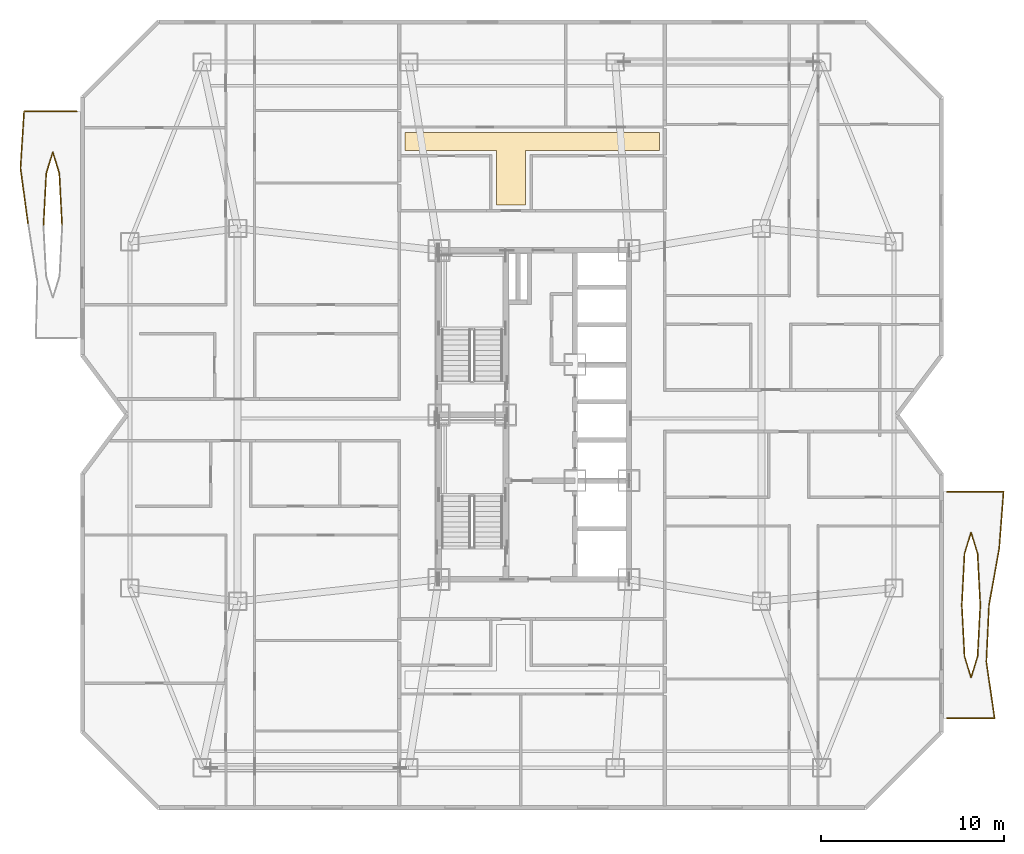
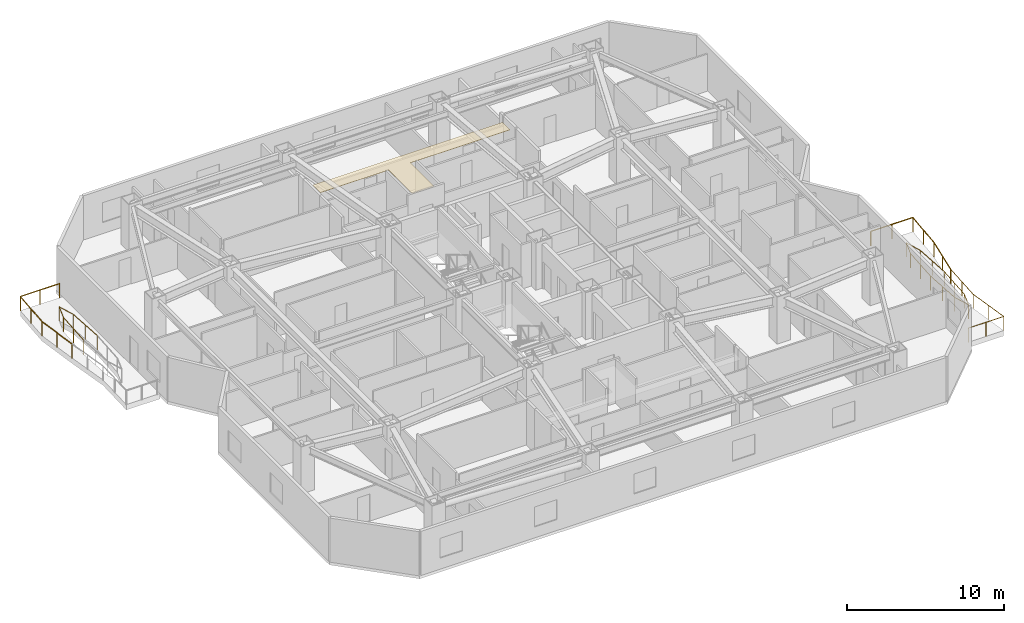
# One storey, part 15 of 15: 6 railings, 1 covering.
"""IFC4 building model written with IfcOpenShell, lengths in metres."""

from ifc_helpers import new_model, si_unit, direction, frame, origin, origin_2d, place, context, subcontext, project, spatial, polyline, circle, outline, extrude, material, layer, layer_set, type_object, element, save


model = new_model("IFC4")

# Units and contexts
model_context = context("Model", 3, precision=1e-05, world=origin(), true_north=direction((0.0, 1.0)))
body_context = subcontext(model_context, "Body", "Model", "MODEL_VIEW")
ifc_project = project(units=[si_unit("LENGTHUNIT", "METRE"), si_unit("AREAUNIT", "SQUARE_METRE"), si_unit("VOLUMEUNIT", "CUBIC_METRE"), si_unit("PLANEANGLEUNIT", "RADIAN"), si_unit("MASSUNIT", "GRAM", prefix="KILO")], contexts=[model_context])

# Site, building, storey
site_placement = place(None, origin())
site = spatial("IfcSite", under=ifc_project, at=site_placement, CompositionType="ELEMENT")
building_placement = place(site_placement, origin())
building = spatial("IfcBuilding", under=site, at=building_placement, Name="Khamvora Tower", CompositionType="ELEMENT")
storey_placement = place(building_placement, frame((0.0, 0.0, 101.89990234375)))
storey = spatial("IfcBuildingStorey", under=building, at=storey_placement, Name="L25", CompositionType="ELEMENT", Elevation=101.89990234375)

# Covering
ifc_material_1 = material(Name="Perforated Mineral-Fibre Acoustic Ceiling Tile", Category="gypsum")
ifc_layer = layer(ifc_material_1, 0.02490234375)
ifc_layer_set = layer_set([ifc_layer], Name="Perforated Mineral-Fibre Acoustic Ceiling Tile")
covering_type = type_object("IfcCoveringType", Name="COV-CEIL-600", PredefinedType="CEILING", material=ifc_layer_set)
covering_placement = place(storey_placement, frame((0.0, 0.0, 3.150146484375)))
element("IfcCovering", 1, at=covering_placement, inside=storey, type_object=covering_type, Name="L25 Apartment 25NA Living and Dining Room acoustic ceiling panel", PredefinedType="CEILING", context=body_context, shape_type="SweptSolid", body=[
    extrude(outline(polyline([(33.7451171875, 39.469970703125), (32.155029296875, 39.469970703125), (32.155029296875, 42.467041015625), (27.139892578125, 42.467041015625), (27.139892578125, 43.43701171875), (41.06005859375, 43.43701171875), (41.06005859375, 42.467041015625), (33.7451171875, 42.467041015625), (33.7451171875, 39.469970703125)])), origin(), (0.0, 0.0, 1.0), 0.02490234375),
])

# Railings
ifc_material_2 = material(Name="Stainless Steel 316 and Laminated Glass", Category="steel")
railing_type = type_object("IfcRailingType", Name="RAL-GAL-1120", PredefinedType="GUARDRAIL", material=ifc_material_2)
railing_1_placement = place(storey_placement, frame((56.800048828125, 11.39990234375, 0.0)))
element("IfcRailing", 2, at=railing_1_placement, inside=storey, type_object=railing_type, Name="L25 lens gallery south perimeter guardrail EL1", PredefinedType="GUARDRAIL", context=body_context, shape_type="SweptSolid", body=[
    extrude(circle(Radius=0.02392578125, at=origin_2d()), frame((0.0, 0.0, 1.09619140625), z_axis=(1.0, 0.0, 0.0), x_axis=(0.0, 1.0, 0.0)), (0.0, 0.0, 1.0), 2.60498046875),
    extrude(circle(Radius=0.02392578125, at=origin_2d()), frame((2.60498046875, 0.0, 1.09619140625), z_axis=(-0.144322789982, 0.989530662633, 0.0), x_axis=(-0.989530662633, -0.144322789982, 0.0)), (0.0, 0.0, 1.0), 3.1328125),
    extrude(circle(Radius=0.02392578125, at=origin_2d()), frame((2.15283203125, 3.10009765625, 1.09619140625), z_axis=(0.047748279733, 0.998859400408, 0.0), x_axis=(-0.998859400408, 0.047748279733, 0.0)), (0.0, 0.0, 1.0), 3.103515625),
    extrude(circle(Radius=0.02099609375, at=origin_2d()), origin(), (0.0, 0.0, 1.0), 1.072021484375),
    extrude(circle(Radius=0.02099609375, at=origin_2d()), frame((1.302490234375, 0.0, 0.0)), (0.0, 0.0, 1.0), 1.072021484375),
    extrude(circle(Radius=0.02099609375, at=origin_2d()), frame((2.60498046875, 0.0, 0.0)), (0.0, 0.0, 1.0), 1.072021484375),
    extrude(circle(Radius=0.02099609375, at=origin_2d()), frame((2.37890625, 1.550048828125, 0.0)), (0.0, 0.0, 1.0), 1.072021484375),
    extrude(circle(Radius=0.02099609375, at=origin_2d()), frame((2.15283203125, 3.10009765625, 0.0)), (0.0, 0.0, 1.0), 1.072021484375),
    extrude(circle(Radius=0.02099609375, at=origin_2d()), frame((2.22705078125, 4.650146484375, 0.0)), (0.0, 0.0, 1.0), 1.072021484375),
    extrude(circle(Radius=0.02099609375, at=origin_2d()), frame((2.301025390625, 6.2001953125, 0.0)), (0.0, 0.0, 1.0), 1.072021484375),
])
railing_2_placement = place(storey_placement, frame((59.10107421875, 17.60009765625, 0.0)))
element("IfcRailing", 3, at=railing_2_placement, inside=storey, type_object=railing_type, Name="L25 lens gallery north perimeter guardrail EL1", PredefinedType="GUARDRAIL", context=body_context, shape_type="SweptSolid", body=[
    extrude(circle(Radius=0.02392578125, at=origin_2d()), frame((0.0, 0.0, 1.09619140625), z_axis=(0.176517707111, 0.984297464731, 0.0), x_axis=(-0.984297464731, 0.176517707111, 0.0)), (0.0, 0.0, 1.0), 3.1494140625),
    extrude(circle(Radius=0.02392578125, at=origin_2d()), frame((0.555908203125, 3.099853515625, 1.09619140625), z_axis=(0.075933858286, 0.997112856785, 0.0), x_axis=(-0.997112856785, 0.075933858286, 0.0)), (0.0, 0.0, 1.0), 3.109130859375),
    extrude(circle(Radius=0.02392578125, at=origin_2d()), frame((0.7919921875, 6.199951171875, 1.09619140625), z_axis=(-1.0, 0.0, 0.0), x_axis=(0.0, -1.0, 0.0)), (0.0, 0.0, 1.0), 3.093017578125),
    extrude(circle(Radius=0.02099609375, at=origin_2d()), origin(), (0.0, 0.0, 1.0), 1.072021484375),
    extrude(circle(Radius=0.02099609375, at=origin_2d()), frame((0.27783203125, 1.5498046875, 0.0)), (0.0, 0.0, 1.0), 1.072021484375),
    extrude(circle(Radius=0.02099609375, at=origin_2d()), frame((0.555908203125, 3.099853515625, 0.0)), (0.0, 0.0, 1.0), 1.072021484375),
    extrude(circle(Radius=0.02099609375, at=origin_2d()), frame((0.673828125, 4.64990234375, 0.0)), (0.0, 0.0, 1.0), 1.072021484375),
    extrude(circle(Radius=0.02099609375, at=origin_2d()), frame((0.7919921875, 6.199951171875, 0.0)), (0.0, 0.0, 1.0), 1.072021484375),
    extrude(circle(Radius=0.02099609375, at=origin_2d()), frame((-0.75439453125, 6.199951171875, 0.0)), (0.0, 0.0, 1.0), 1.072021484375),
    extrude(circle(Radius=0.02099609375, at=origin_2d()), frame((-2.301025390625, 6.199951171875, 0.0)), (0.0, 0.0, 1.0), 1.072021484375),
])
railing_3_placement = place(storey_placement, frame((58.618896484375, 17.60009765625, 0.0)))
element("IfcRailing", 4, at=railing_3_placement, inside=storey, type_object=railing_type, Name="L25 lens gallery void guardrail EL1A", PredefinedType="GUARDRAIL", context=body_context, shape_type="SweptSolid", body=[
    extrude(circle(Radius=0.02392578125, at=origin_2d()), frame((0.0, 0.0, 1.09619140625), z_axis=(-0.052654602562, 0.998612784231, 0.0), x_axis=(-0.998612784231, -0.052654602562, 0.0)), (0.0, 0.0, 1.0), 2.809814453125),
    extrude(circle(Radius=0.02392578125, at=origin_2d()), frame((-0.14794921875, 2.805908203125, 1.09619140625), z_axis=(-0.292871691974, 0.956151751575, 0.0), x_axis=(-0.956151751575, -0.292871691974, 0.0)), (0.0, 0.0, 1.0), 1.21533203125),
    extrude(circle(Radius=0.02392578125, at=origin_2d()), frame((-0.50390625, 3.968017578125, 1.09619140625), z_axis=(-0.292871691974, -0.956151751575, 0.0), x_axis=(0.956151751575, -0.292871691974, 0.0)), (0.0, 0.0, 1.0), 1.21533203125),
    extrude(circle(Radius=0.02392578125, at=origin_2d()), frame((-0.85986328125, 2.805908203125, 1.09619140625), z_axis=(-0.052654602562, -0.998612784231, 0.0), x_axis=(0.998612784231, -0.052654602562, 0.0)), (0.0, 0.0, 1.0), 2.809814453125),
    extrude(circle(Radius=0.02099609375, at=origin_2d()), origin(), (0.0, 0.0, 1.0), 1.072021484375),
    extrude(circle(Radius=0.02099609375, at=origin_2d()), frame((-0.073974609375, 1.40283203125, 0.0)), (0.0, 0.0, 1.0), 1.072021484375),
    extrude(circle(Radius=0.02099609375, at=origin_2d()), frame((-0.14794921875, 2.805908203125, 0.0)), (0.0, 0.0, 1.0), 1.072021484375),
    extrude(circle(Radius=0.02099609375, at=origin_2d()), frame((-0.50390625, 3.968017578125, 0.0)), (0.0, 0.0, 1.0), 1.072021484375),
    extrude(circle(Radius=0.02099609375, at=origin_2d()), frame((-0.85986328125, 2.805908203125, 0.0)), (0.0, 0.0, 1.0), 1.072021484375),
    extrude(circle(Radius=0.02099609375, at=origin_2d()), frame((-0.933837890625, 1.40283203125, 0.0)), (0.0, 0.0, 1.0), 1.072021484375),
    extrude(circle(Radius=0.02099609375, at=origin_2d()), frame((-1.0078125, 0.0, 0.0)), (0.0, 0.0, 1.0), 1.072021484375),
])
railing_4_placement = place(storey_placement, frame((57.611083984375, 17.60009765625, 0.0)))
element("IfcRailing", 5, at=railing_4_placement, inside=storey, type_object=railing_type, Name="L25 lens gallery void guardrail EL1B", PredefinedType="GUARDRAIL", context=body_context, shape_type="SweptSolid", body=[
    extrude(circle(Radius=0.02392578125, at=origin_2d()), frame((0.0, 0.0, 1.09619140625), z_axis=(0.05265003421, -0.998613025099, 0.0), x_axis=(0.998613025099, 0.05265003421, 0.0)), (0.0, 0.0, 1.0), 2.81005859375),
    extrude(circle(Radius=0.02392578125, at=origin_2d()), frame((0.14794921875, -2.80615234375, 1.09619140625), z_axis=(0.292927952476, -0.956134517031, 0.0), x_axis=(0.956134517031, 0.292927952476, 0.0)), (0.0, 0.0, 1.0), 1.215087890625),
    extrude(circle(Radius=0.02392578125, at=origin_2d()), frame((0.50390625, -3.968017578125, 1.09619140625), z_axis=(0.292927952476, 0.956134517031, 0.0), x_axis=(-0.956134517031, 0.292927952476, 0.0)), (0.0, 0.0, 1.0), 1.215087890625),
    extrude(circle(Radius=0.02392578125, at=origin_2d()), frame((0.85986328125, -2.80615234375, 1.09619140625), z_axis=(0.05265003421, 0.998613025099, 0.0), x_axis=(-0.998613025099, 0.05265003421, 0.0)), (0.0, 0.0, 1.0), 2.81005859375),
    extrude(circle(Radius=0.02099609375, at=origin_2d()), origin(), (0.0, 0.0, 1.0), 1.072021484375),
    extrude(circle(Radius=0.02099609375, at=origin_2d()), frame((0.073974609375, -1.403076171875, 0.0)), (0.0, 0.0, 1.0), 1.072021484375),
    extrude(circle(Radius=0.02099609375, at=origin_2d()), frame((0.14794921875, -2.80615234375, 0.0)), (0.0, 0.0, 1.0), 1.072021484375),
    extrude(circle(Radius=0.02099609375, at=origin_2d()), frame((0.50390625, -3.968017578125, 0.0)), (0.0, 0.0, 1.0), 1.072021484375),
    extrude(circle(Radius=0.02099609375, at=origin_2d()), frame((0.85986328125, -2.80615234375, 0.0)), (0.0, 0.0, 1.0), 1.072021484375),
    extrude(circle(Radius=0.02099609375, at=origin_2d()), frame((0.933837890625, -1.403076171875, 0.0)), (0.0, 0.0, 1.0), 1.072021484375),
    extrude(circle(Radius=0.02099609375, at=origin_2d()), frame((1.0078125, 0.0, 0.0)), (0.0, 0.0, 1.0), 1.072021484375),
])
railing_5_placement = place(storey_placement, frame((6.534912109375, 38.39990234375, 0.0)))
element("IfcRailing", 6, at=railing_5_placement, inside=storey, type_object=railing_type, Name="L25 lens gallery north perimeter guardrail WL2", PredefinedType="GUARDRAIL", context=body_context, shape_type="SweptSolid", body=[
    extrude(circle(Radius=0.02392578125, at=origin_2d()), frame((0.0, 0.0, 1.09619140625), z_axis=(-0.134228593389, 0.99095039468, 0.0), x_axis=(-0.99095039468, -0.134228593389, 0.0)), (0.0, 0.0, 1.0), 3.12841796875),
    extrude(circle(Radius=0.02392578125, at=origin_2d()), frame((-0.419921875, 3.10009765625, 1.09619140625), z_axis=(0.063738458242, 0.997966637188, 0.0), x_axis=(-0.997966637188, 0.063738458242, 0.0)), (0.0, 0.0, 1.0), 3.1064453125),
    extrude(circle(Radius=0.02392578125, at=origin_2d()), frame((-0.221923828125, 6.2001953125, 1.09619140625), z_axis=(1.0, 0.0, 0.0), x_axis=(0.0, 1.0, 0.0)), (0.0, 0.0, 1.0), 2.886962890625),
    extrude(circle(Radius=0.02099609375, at=origin_2d()), origin(), (0.0, 0.0, 1.0), 1.072021484375),
    extrude(circle(Radius=0.02099609375, at=origin_2d()), frame((-0.2099609375, 1.550048828125, 0.0)), (0.0, 0.0, 1.0), 1.072021484375),
    extrude(circle(Radius=0.02099609375, at=origin_2d()), frame((-0.419921875, 3.10009765625, 0.0)), (0.0, 0.0, 1.0), 1.072021484375),
    extrude(circle(Radius=0.02099609375, at=origin_2d()), frame((-0.32080078125, 4.650146484375, 0.0)), (0.0, 0.0, 1.0), 1.072021484375),
    extrude(circle(Radius=0.02099609375, at=origin_2d()), frame((-0.221923828125, 6.2001953125, 0.0)), (0.0, 0.0, 1.0), 1.072021484375),
    extrude(circle(Radius=0.02099609375, at=origin_2d()), frame((1.2216796875, 6.2001953125, 0.0)), (0.0, 0.0, 1.0), 1.072021484375),
    extrude(circle(Radius=0.02099609375, at=origin_2d()), frame((2.6650390625, 6.2001953125, 0.0)), (0.0, 0.0, 1.0), 1.072021484375),
])
railing_6_placement = place(storey_placement, frame((8.388916015625, 38.39990234375, 0.0)))
element("IfcRailing", 7, at=railing_6_placement, inside=storey, type_object=railing_type, Name="L25 lens gallery void guardrail WL2A", PredefinedType="GUARDRAIL", context=body_context, shape_type="SweptSolid", body=[
    extrude(circle(Radius=0.02392578125, at=origin_2d()), frame((0.0, 0.0, 1.09619140625), z_axis=(-0.05265003421, 0.998613025099, 0.0), x_axis=(-0.998613025099, -0.05265003421, 0.0)), (0.0, 0.0, 1.0), 2.81005859375),
    extrude(circle(Radius=0.02392578125, at=origin_2d()), frame((-0.14794921875, 2.80615234375, 1.09619140625), z_axis=(-0.292927952476, 0.956134517031, 0.0), x_axis=(-0.956134517031, -0.292927952476, 0.0)), (0.0, 0.0, 1.0), 1.215087890625),
    extrude(circle(Radius=0.02392578125, at=origin_2d()), frame((-0.50390625, 3.968017578125, 1.09619140625), z_axis=(-0.292927952476, -0.956134517031, 0.0), x_axis=(0.956134517031, -0.292927952476, 0.0)), (0.0, 0.0, 1.0), 1.215087890625),
    extrude(circle(Radius=0.02392578125, at=origin_2d()), frame((-0.85986328125, 2.80615234375, 1.09619140625), z_axis=(-0.05265003421, -0.998613025099, 0.0), x_axis=(0.998613025099, -0.05265003421, 0.0)), (0.0, 0.0, 1.0), 2.81005859375),
    extrude(circle(Radius=0.02099609375, at=origin_2d()), origin(), (0.0, 0.0, 1.0), 1.072021484375),
    extrude(circle(Radius=0.02099609375, at=origin_2d()), frame((-0.073974609375, 1.403076171875, 0.0)), (0.0, 0.0, 1.0), 1.072021484375),
    extrude(circle(Radius=0.02099609375, at=origin_2d()), frame((-0.14794921875, 2.80615234375, 0.0)), (0.0, 0.0, 1.0), 1.072021484375),
    extrude(circle(Radius=0.02099609375, at=origin_2d()), frame((-0.50390625, 3.968017578125, 0.0)), (0.0, 0.0, 1.0), 1.072021484375),
    extrude(circle(Radius=0.02099609375, at=origin_2d()), frame((-0.85986328125, 2.80615234375, 0.0)), (0.0, 0.0, 1.0), 1.072021484375),
    extrude(circle(Radius=0.02099609375, at=origin_2d()), frame((-0.933837890625, 1.403076171875, 0.0)), (0.0, 0.0, 1.0), 1.072021484375),
    extrude(circle(Radius=0.02099609375, at=origin_2d()), frame((-1.0078125, 0.0, 0.0)), (0.0, 0.0, 1.0), 1.072021484375),
])

save(model, "model.ifc")
